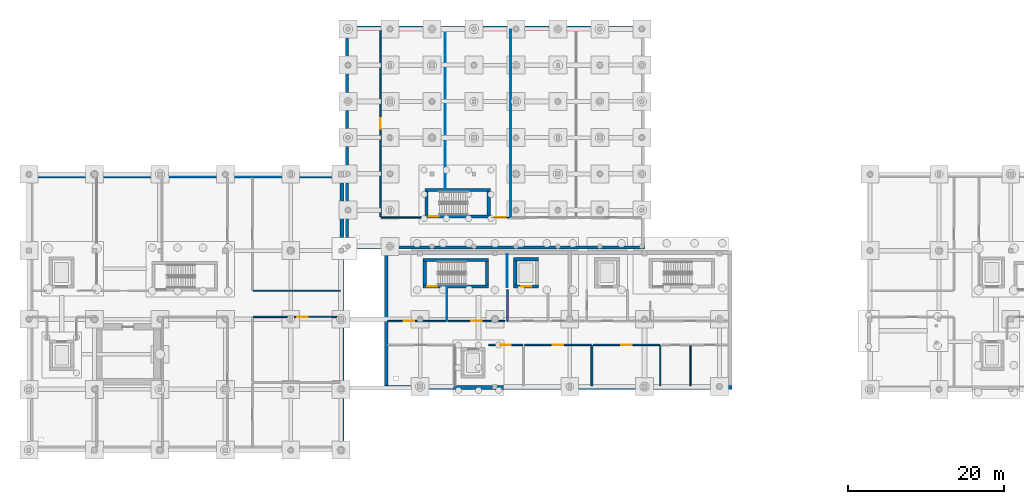
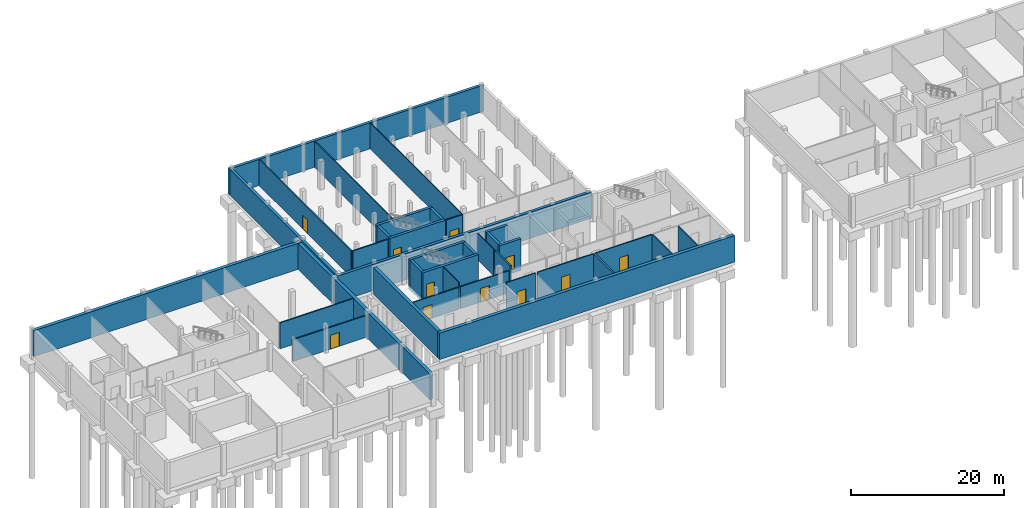
# One storey, part 7 of 14: 36 walls, 11 doors, 11 openings.
"""IFC4 building model written with IfcOpenShell, lengths in metres."""

from ifc_helpers import new_model, si_unit, direction, frame, frame_2d, origin, place, context, subcontext, project, spatial, rectangle, extrude, material, layer, layer_set, type_object, element, fill, save


model = new_model("IFC4")

# Units and contexts
model_context = context("Model", 3, precision=1e-05, world=origin(), true_north=direction((0.0, 1.0)))
body_context = subcontext(model_context, "Body", "Model", "MODEL_VIEW")
ifc_project = project(units=[si_unit("LENGTHUNIT", "METRE"), si_unit("AREAUNIT", "SQUARE_METRE"), si_unit("VOLUMEUNIT", "CUBIC_METRE"), si_unit("PLANEANGLEUNIT", "RADIAN"), si_unit("MASSUNIT", "GRAM", prefix="KILO")], contexts=[model_context])

# Site, building, storey
site_placement = place(None, origin())
site = spatial("IfcSite", under=ifc_project, at=site_placement, CompositionType="ELEMENT")
building_placement = place(site_placement, origin())
building = spatial("IfcBuilding", under=site, at=building_placement, Name="Birchvale Park Specialist Clinic", CompositionType="ELEMENT")
storey_placement = place(building_placement, frame((0.0, 0.0, -4.5)))
storey = spatial("IfcBuildingStorey", under=building, at=storey_placement, Name="B1", CompositionType="ELEMENT", Elevation=-4.5)

# Wall, opening, door
ifc_material_1 = material(Name="Concrete C40/50", Category="concrete")
ifc_layer_1 = layer(ifc_material_1, 0.39990234375)
ifc_layer_set_1 = layer_set([ifc_layer_1], Name="Concrete C40/50")
wall_type_1 = type_object("IfcWallType", Name="WL-CW-120", PredefinedType="SHEAR", material=ifc_layer_set_1)
wall_1_placement = place(storey_placement, frame((62.0, 39.0, -0.550048828125), z_axis=(0.0, 0.0, 1.0), x_axis=(1.0, 0.0, 0.0)))
wall_1 = element("IfcWall", 1, at=wall_1_placement, inside=storey, type_object=wall_type_1, Name="B1 stair ST1 EI 120 enclosure wall (south)", PredefinedType="SHEAR", context=body_context, shape_type="SweptSolid", body=[
    extrude(rectangle(XDim=8.39990234375, YDim=0.39990234375, at=frame_2d((4.199951171875, 0.0))), origin(), (0.0, 0.0, 1.0), 4.72998046875),
])
opening_1_placement = place(wall_1_placement, frame((0.52001953125, 0.0, 0.550048828125)))
opening_1 = element("IfcOpeningElement", 2, at=opening_1_placement, cuts=wall_1, Name="Opening ID-FD60", PredefinedType="OPENING", context=body_context, shape_type="SweptSolid", body=[
    extrude(rectangle(XDim=1.25, YDim=2.199951171875, at=frame_2d((0.625, 1.10009765625))), frame((0.0, 0.2099609375, 0.0), z_axis=(0.0, -1.0, 0.0), x_axis=(1.0, 0.0, 0.0)), (0.0, 0.0, 1.0), 0.419921875),
])
ifc_material_2 = material(Name="Solid-core birch veneer and anodised aluminium", Category="aluminium")
door_type_1 = type_object("IfcDoorType", Name="DR-ID-FD60", OperationType="NOTDEFINED", PredefinedType="DOOR", material=ifc_material_2)
door_1_placement = place(opening_1_placement, origin())
door_1 = element("IfcDoor", 3, at=door_1_placement, inside=storey, type_object=door_type_1, Name="B1 stair ST1 fire door", OperationType="SINGLE_SWING_RIGHT", OverallHeight=2.199951171875, OverallWidth=1.25, PredefinedType="DOOR", context=body_context, shape_type="SweptSolid", body=[
    extrude(rectangle(XDim=1.25, YDim=2.199951171875, at=frame_2d((0.625, 1.10009765625))), frame((0.0, 0.02490234375, 0.0), z_axis=(0.0, -1.0, 0.0), x_axis=(1.0, 0.0, 0.0)), (0.0, 0.0, 1.0), 0.050048828125),
])
fill(opening_1, door_1)

# Walls
wall_2_placement = place(storey_placement, frame((70.39990234375, 42.39990234375, -0.550048828125), z_axis=(0.0, 0.0, 1.0), x_axis=(-1.0, 0.0, 0.0)))
element("IfcWall", 4, at=wall_2_placement, inside=storey, type_object=wall_type_1, Name="B1 stair ST1 EI 120 enclosure wall (north)", PredefinedType="SHEAR", context=body_context, shape_type="SweptSolid", body=[
    extrude(rectangle(XDim=8.39990234375, YDim=0.39990234375, at=frame_2d((4.199951171875, 0.0))), origin(), (0.0, 0.0, 1.0), 4.72998046875),
])
for number, where, z_axis, x_axis, name in (
    (5, (62.199951171875, 39.199951171875, -0.550048828125), (0.0, 0.0, 1.0), (0.0, 1.0, 0.0), "B1 stair ST1 EI 120 enclosure wall (west)"),
    (6, (70.199951171875, 42.199951171875, -0.550048828125), (0.0, 0.0, 1.0), (0.0, -1.0, 0.0), "B1 stair ST1 EI 120 enclosure wall (east)"),
):
    element("IfcWall", number, at=place(storey_placement, frame(where, z_axis=z_axis, x_axis=x_axis)), inside=storey, type_object=wall_type_1, Name=name, PredefinedType="SHEAR", context=body_context, shape_type="SweptSolid", body=[
        extrude(rectangle(XDim=3.0, YDim=0.39990234375, at=frame_2d((1.5, 0.0))), origin(), (0.0, 0.0, 1.0), 4.72998046875),
    ])

# Wall, opening, door
wall_3_placement = place(storey_placement, frame((61.800048828125, 30.0, -0.550048828125), z_axis=(0.0, 0.0, 1.0), x_axis=(1.0, 0.0, 0.0)))
wall_3 = element("IfcWall", 7, at=wall_3_placement, inside=storey, type_object=wall_type_1, Name="B1 stair ST4 EI 120 enclosure wall (south)", PredefinedType="SHEAR", context=body_context, shape_type="SweptSolid", body=[
    extrude(rectangle(XDim=8.39990234375, YDim=0.39990234375, at=frame_2d((4.199951171875, 0.0))), origin(), (0.0, 0.0, 1.0), 4.77001953125),
])
opening_2_placement = place(wall_3_placement, frame((0.52001953125, 0.0, 0.550048828125)))
opening_2 = element("IfcOpeningElement", 8, at=opening_2_placement, cuts=wall_3, Name="Opening ID-FD60", PredefinedType="OPENING", context=body_context, shape_type="SweptSolid", body=[
    extrude(rectangle(XDim=1.25, YDim=2.199951171875, at=frame_2d((0.625, 1.10009765625))), frame((0.0, 0.2099609375, 0.0), z_axis=(0.0, -1.0, 0.0), x_axis=(1.0, 0.0, 0.0)), (0.0, 0.0, 1.0), 0.419921875),
])
door_2_placement = place(opening_2_placement, origin())
door_2 = element("IfcDoor", 9, at=door_2_placement, inside=storey, type_object=door_type_1, Name="B1 stair ST4 fire door", OperationType="SINGLE_SWING_RIGHT", OverallHeight=2.199951171875, OverallWidth=1.25, PredefinedType="DOOR", context=body_context, shape_type="SweptSolid", body=[
    extrude(rectangle(XDim=1.25, YDim=2.199951171875, at=frame_2d((0.625, 1.10009765625))), frame((0.0, 0.02490234375, 0.0), z_axis=(0.0, -1.0, 0.0), x_axis=(1.0, 0.0, 0.0)), (0.0, 0.0, 1.0), 0.050048828125),
])
fill(opening_2, door_2)

# Walls
wall_4_placement = place(storey_placement, frame((70.199951171875, 33.39990234375, -0.550048828125), z_axis=(0.0, 0.0, 1.0), x_axis=(-1.0, 0.0, 0.0)))
element("IfcWall", 10, at=wall_4_placement, inside=storey, type_object=wall_type_1, Name="B1 stair ST4 EI 120 enclosure wall (north)", PredefinedType="SHEAR", context=body_context, shape_type="SweptSolid", body=[
    extrude(rectangle(XDim=8.39990234375, YDim=0.39990234375, at=frame_2d((4.199951171875, 0.0))), origin(), (0.0, 0.0, 1.0), 4.77001953125),
])
for number, where, z_axis, x_axis, name in (
    (11, (62.0, 30.199951171875, -0.550048828125), (0.0, 0.0, 1.0), (0.0, 1.0, 0.0), "B1 stair ST4 EI 120 enclosure wall (west)"),
    (12, (70.0, 33.199951171875, -0.550048828125), (0.0, 0.0, 1.0), (0.0, -1.0, 0.0), "B1 stair ST4 EI 120 enclosure wall (east)"),
):
    element("IfcWall", number, at=place(storey_placement, frame(where, z_axis=z_axis, x_axis=x_axis)), inside=storey, type_object=wall_type_1, Name=name, PredefinedType="SHEAR", context=body_context, shape_type="SweptSolid", body=[
        extrude(rectangle(XDim=3.0, YDim=0.39990234375, at=frame_2d((1.5, 0.0))), origin(), (0.0, 0.0, 1.0), 4.77001953125),
    ])

# Wall, opening, door
wall_5_placement = place(storey_placement, frame((73.39990234375, 30.0, -0.550048828125), z_axis=(0.0, 0.0, 1.0), x_axis=(1.0, 0.0, 0.0)))
wall_5 = element("IfcWall", 13, at=wall_5_placement, inside=storey, type_object=wall_type_1, Name="B1 lift LF1 shaft wall (south)", PredefinedType="SHEAR", context=body_context, shape_type="SweptSolid", body=[
    extrude(rectangle(XDim=3.2001953125, YDim=0.39990234375, at=frame_2d((1.60009765625, 0.0))), origin(), (0.0, 0.0, 1.0), 5.050048828125),
])
opening_3_placement = place(wall_5_placement, frame((0.949951171875, 0.0, 0.550048828125)))
opening_3 = element("IfcOpeningElement", 14, at=opening_3_placement, cuts=wall_5, Name="Opening LD-02", PredefinedType="OPENING", context=body_context, shape_type="SweptSolid", body=[
    extrude(rectangle(XDim=1.300048828125, YDim=2.25, at=frame_2d((0.64990234375, 1.125))), frame((0.0, 0.2099609375, 0.0), z_axis=(0.0, -1.0, 0.0), x_axis=(1.0, 0.0, 0.0)), (0.0, 0.0, 1.0), 0.419921875),
])
door_type_2 = type_object("IfcDoorType", Name="DR-LD-02", OperationType="DOUBLE_DOOR_SLIDING", PredefinedType="DOOR", material=ifc_material_2)
door_3_placement = place(opening_3_placement, origin())
door_3 = element("IfcDoor", 15, at=door_3_placement, inside=storey, type_object=door_type_2, Name="B1 lift LF1 sliding landing door", OperationType="DOUBLE_DOOR_SLIDING", OverallHeight=2.25, OverallWidth=1.300048828125, PredefinedType="DOOR", context=body_context, shape_type="SweptSolid", body=[
    extrude(rectangle(XDim=1.300048828125, YDim=2.25, at=frame_2d((0.64990234375, 1.125))), frame((0.0, 0.02490234375, 0.0), z_axis=(0.0, -1.0, 0.0), x_axis=(1.0, 0.0, 0.0)), (0.0, 0.0, 1.0), 0.050048828125),
])
fill(opening_3, door_3)

# Walls
wall_6_placement = place(storey_placement, frame((76.60009765625, 33.5, -0.550048828125), z_axis=(0.0, 0.0, 1.0), x_axis=(-1.0, 0.0, 0.0)))
element("IfcWall", 16, at=wall_6_placement, inside=storey, type_object=wall_type_1, Name="B1 lift LF1 shaft wall (north)", PredefinedType="SHEAR", context=body_context, shape_type="SweptSolid", body=[
    extrude(rectangle(XDim=3.2001953125, YDim=0.39990234375, at=frame_2d((1.60009765625, 0.0))), origin(), (0.0, 0.0, 1.0), 5.050048828125),
])
wall_7_placement = place(storey_placement, frame((73.60009765625, 30.199951171875, -0.550048828125), z_axis=(0.0, 0.0, 1.0), x_axis=(0.0, 1.0, 0.0)))
element("IfcWall", 17, at=wall_7_placement, inside=storey, type_object=wall_type_1, Name="B1 lift LF1 shaft wall (west)", PredefinedType="SHEAR", context=body_context, shape_type="SweptSolid", body=[
    extrude(rectangle(XDim=3.10009765625, YDim=0.39990234375, at=frame_2d((1.550048828125, 0.0))), origin(), (0.0, 0.0, 1.0), 5.050048828125),
])
ifc_material_3 = material(Name="Acoustic gypsum board on metal framing")
ifc_layer_2 = layer(ifc_material_3, 0.1650390625)
ifc_layer_set_2 = layer_set([ifc_layer_2], Name="Acoustic gypsum board on metal framing")
wall_type_2 = type_object("IfcWallType", Name="WL-IW-01", PredefinedType="PARTITIONING", material=ifc_layer_set_2)
for number, where, z_axis, x_axis, name in (
    (18, (92.22412109375, 22.419921875, 0.0), (0.0, 0.0, 1.0), (0.0, -1.0, 0.0), "V4 B1 clinical partition 36"),
    (19, (96.10400390625, 22.419921875, 0.0), (0.0, 0.0, 1.0), (0.0, -1.0, 0.0), "V4 B1 clinical partition 37"),
):
    element("IfcWall", number, at=place(storey_placement, frame(where, z_axis=z_axis, x_axis=x_axis)), inside=storey, type_object=wall_type_2, Name=name, PredefinedType="PARTITIONING", context=body_context, shape_type="SweptSolid", body=[
        extrude(rectangle(XDim=5.179931640625, YDim=0.1650390625, at=frame_2d((2.58984375, 0.0))), origin(), (0.0, 0.0, 1.0), 4.219970703125),
    ])
ifc_layer_3 = layer(ifc_material_3, 0.125)
ifc_layer_set_3 = layer_set([ifc_layer_3], Name="Acoustic gypsum board on metal framing")
wall_type_3 = type_object("IfcWallType", Name="WL-IW-04", PredefinedType="PARTITIONING", material=ifc_layer_set_3)
wall_8_placement = place(storey_placement, frame((64.64501953125, 62.9599609375, 0.0), z_axis=(0.0, 0.0, 1.0), x_axis=(0.0, -1.0, 0.0)))
element("IfcWall", 20, at=wall_8_placement, inside=storey, type_object=wall_type_3, Name="V1 B1 clinical partition 3", PredefinedType="PARTITIONING", context=body_context, shape_type="SweptSolid", body=[
    extrude(rectangle(XDim=20.260009765625, YDim=0.125, at=frame_2d((10.1298828125, 0.0))), origin(), (0.0, 0.0, 1.0), 4.179931640625),
])
ifc_layer_4 = layer(ifc_material_3, 0.114990234375)
ifc_layer_set_4 = layer_set([ifc_layer_4], Name="Acoustic gypsum board on metal framing")
wall_type_4 = type_object("IfcWallType", Name="WL-IW-05", PredefinedType="PARTITIONING", material=ifc_layer_set_4)
wall_9_placement = place(storey_placement, frame((73.030029296875, 62.9599609375, 0.0), z_axis=(0.0, 0.0, 1.0), x_axis=(0.0, -1.0, 0.0)))
element("IfcWall", 21, at=wall_9_placement, inside=storey, type_object=wall_type_4, Name="V1 B1 clinical partition 4", PredefinedType="PARTITIONING", context=body_context, shape_type="SweptSolid", body=[
    extrude(rectangle(XDim=24.030029296875, YDim=0.114990234375, at=frame_2d((12.01513671875, 0.0))), origin(), (0.0, 0.0, 1.0), 4.179931640625),
])
wall_10_placement = place(storey_placement, frame((72.56005859375, 34.159912109375, 0.0), z_axis=(0.0, 0.0, 1.0), x_axis=(0.0, -1.0, 0.0)))
element("IfcWall", 22, at=wall_10_placement, inside=storey, type_object=wall_type_4, Name="V4 B1 clinical partition 43", PredefinedType="PARTITIONING", context=body_context, shape_type="SweptSolid", body=[
    extrude(rectangle(XDim=4.239990234375, YDim=0.114990234375, at=frame_2d((2.1201171875, 0.0))), origin(), (0.0, 0.0, 1.0), 4.219970703125),
])
ifc_layer_5 = layer(ifc_material_3, 0.10009765625)
ifc_layer_set_5 = layer_set([ifc_layer_5], Name="Acoustic gypsum board on metal framing")
wall_type_5 = type_object("IfcWallType", Name="WL-IW-06", PredefinedType="PARTITIONING", material=ifc_layer_set_5)
wall_11_placement = place(storey_placement, frame((64.840087890625, 29.699951171875, 0.0), z_axis=(0.0, 0.0, 1.0), x_axis=(0.0, -1.0, 0.0)))
element("IfcWall", 23, at=wall_11_placement, inside=storey, type_object=wall_type_5, Name="V4 B1 clinical partition 40", PredefinedType="PARTITIONING", context=body_context, shape_type="SweptSolid", body=[
    extrude(rectangle(XDim=4.070068359375, YDim=0.10009765625, at=frame_2d((2.03515625, 0.0))), origin(), (0.0, 0.0, 1.0), 4.219970703125),
])
ifc_layer_6 = layer(ifc_material_3, 0.239990234375)
ifc_layer_set_6 = layer_set([ifc_layer_6], Name="Acoustic gypsum board on metal framing")
wall_type_6 = type_object("IfcWallType", Name="WL-IW-08", PredefinedType="PARTITIONING", material=ifc_layer_set_6)
wall_12_placement = place(storey_placement, frame((83.447998046875, 22.419921875, 0.0), z_axis=(0.0, 0.0, 1.0), x_axis=(0.0, -1.0, 0.0)))
element("IfcWall", 24, at=wall_12_placement, inside=storey, type_object=wall_type_6, Name="V4 B1 clinical partition 34", PredefinedType="PARTITIONING", context=body_context, shape_type="SweptSolid", body=[
    extrude(rectangle(XDim=5.179931640625, YDim=0.239990234375, at=frame_2d((2.58984375, 0.0))), origin(), (0.0, 0.0, 1.0), 4.219970703125),
])
ifc_layer_7 = layer(ifc_material_3, 0.219970703125)
ifc_layer_set_7 = layer_set([ifc_layer_7], Name="Acoustic gypsum board on metal framing")
wall_type_7 = type_object("IfcWallType", Name="WL-IW-120", PredefinedType="PARTITIONING", material=ifc_layer_set_7)
wall_13_placement = place(storey_placement, frame((72.60009765625, 29.60009765625, 0.0), z_axis=(0.0, 0.0, 1.0), x_axis=(0.0, -1.0, 0.0)))
element("IfcWall", 25, at=wall_13_placement, inside=storey, type_object=wall_type_7, Name="B1 firefighting lift lobby K4 EI 120 wall (west)", PredefinedType="PARTITIONING", context=body_context, shape_type="SweptSolid", body=[
    extrude(rectangle(XDim=4.050048828125, YDim=0.219970703125, at=frame_2d((2.02490234375, 0.0))), origin(), (0.0, 0.0, 1.0), 4.219970703125),
])
ifc_layer_8 = layer(ifc_material_3, 0.179931640625)
ifc_layer_set_8 = layer_set([ifc_layer_8], Name="Acoustic gypsum board on metal framing")
wall_type_8 = type_object("IfcWallType", Name="WL-IW-60", PredefinedType="PARTITIONING", material=ifc_layer_set_8)
wall_14_placement = place(storey_placement, frame((61.6650390625, 38.85009765625, 0.0), z_axis=(0.0, 0.0, 1.0), x_axis=(-1.0, 0.0, 0.0)))
element("IfcWall", 26, at=wall_14_placement, inside=storey, type_object=wall_type_8, Name="V1 B1 clinical partition 1", PredefinedType="PARTITIONING", context=body_context, shape_type="SweptSolid", body=[
    extrude(rectangle(XDim=5.28515625, YDim=0.179931640625, at=frame_2d((2.642578125, 0.0))), origin(), (0.0, 0.0, 1.0), 4.179931640625),
])

# Wall, opening, door
wall_15_placement = place(storey_placement, frame((56.300048828125, 38.929931640625, 0.0), z_axis=(0.0, 0.0, 1.0), x_axis=(0.0, 1.0, 0.0)))
wall_15 = element("IfcWall", 27, at=wall_15_placement, inside=storey, type_object=wall_type_8, Name="V1 B1 clinical partition 2", PredefinedType="PARTITIONING", context=body_context, shape_type="SweptSolid", body=[
    extrude(rectangle(XDim=24.030029296875, YDim=0.179931640625, at=frame_2d((12.01513671875, 0.0))), origin(), (0.0, 0.0, 1.0), 4.179931640625),
])
opening_4_placement = place(wall_15_placement, frame((11.340087890625, 0.0, 0.0)))
opening_4 = element("IfcOpeningElement", 28, at=opening_4_placement, cuts=wall_15, Name="Opening ID-FD30", PredefinedType="OPENING", context=body_context, shape_type="SweptSolid", body=[
    extrude(rectangle(XDim=1.35009765625, YDim=2.199951171875, at=frame_2d((0.675048828125, 1.10009765625))), frame((0.0, 0.10009765625, 0.0), z_axis=(0.0, -1.0, 0.0), x_axis=(1.0, 0.0, 0.0)), (0.0, 0.0, 1.0), 0.199951171875),
])
door_type_3 = type_object("IfcDoorType", Name="DR-ID-FD30", OperationType="NOTDEFINED", PredefinedType="DOOR", material=ifc_material_2)
door_4_placement = place(opening_4_placement, origin())
door_4 = element("IfcDoor", 29, at=door_4_placement, inside=storey, type_object=door_type_3, Name="B1 Hydrotherapy Balance Tank Plant Room door", OperationType="SINGLE_SWING_RIGHT", OverallHeight=2.199951171875, OverallWidth=1.35009765625, PredefinedType="DOOR", context=body_context, shape_type="SweptSolid", body=[
    extrude(rectangle(XDim=1.35009765625, YDim=2.199951171875, at=frame_2d((0.675048828125, 1.10009765625))), frame((0.0, 0.02490234375, 0.0), z_axis=(0.0, -1.0, 0.0), x_axis=(1.0, 0.0, 0.0)), (0.0, 0.0, 1.0), 0.050048828125),
])
fill(opening_4, door_4)

wall_16_placement = place(storey_placement, frame((72.949951171875, 38.85009765625, 0.0), z_axis=(0.0, 0.0, 1.0), x_axis=(-1.0, 0.0, 0.0)))
wall_16 = element("IfcWall", 30, at=wall_16_placement, inside=storey, type_object=wall_type_8, Name="V1 B1 clinical partition 5", PredefinedType="PARTITIONING", context=body_context, shape_type="SweptSolid", body=[
    extrude(rectangle(XDim=2.449951171875, YDim=0.179931640625, at=frame_2d((1.22509765625, 0.0))), origin(), (0.0, 0.0, 1.0), 4.179931640625),
])
opening_5_placement = place(wall_16_placement, frame((0.550048828125, 0.0, 0.0)))
opening_5 = element("IfcOpeningElement", 31, at=opening_5_placement, cuts=wall_16, Name="Opening ID-FD30", PredefinedType="OPENING", context=body_context, shape_type="SweptSolid", body=[
    extrude(rectangle(XDim=1.35009765625, YDim=2.199951171875, at=frame_2d((0.675048828125, 1.10009765625))), frame((0.0, 0.10009765625, 0.0), z_axis=(0.0, -1.0, 0.0), x_axis=(1.0, 0.0, 0.0)), (0.0, 0.0, 1.0), 0.199951171875),
])
door_5_placement = place(opening_5_placement, origin())
door_5 = element("IfcDoor", 32, at=door_5_placement, inside=storey, type_object=door_type_3, Name="B1 Sterile Supply Store door", OperationType="SINGLE_SWING_LEFT", OverallHeight=2.199951171875, OverallWidth=1.35009765625, PredefinedType="DOOR", context=body_context, shape_type="SweptSolid", body=[
    extrude(rectangle(XDim=1.35009765625, YDim=2.199951171875, at=frame_2d((0.675048828125, 1.10009765625))), frame((0.0, 0.02490234375, 0.0), z_axis=(0.0, -1.0, 0.0), x_axis=(1.0, 0.0, 0.0)), (0.0, 0.0, 1.0), 0.050048828125),
])
fill(opening_5, door_5)

wall_17_placement = place(storey_placement, frame((39.97998046875, 26.10009765625, 0.0), z_axis=(0.0, 0.0, 1.0), x_axis=(1.0, 0.0, 0.0)))
wall_17 = element("IfcWall", 33, at=wall_17_placement, inside=storey, type_object=wall_type_8, Name="V2 B1 clinical partition 20", PredefinedType="PARTITIONING", context=body_context, shape_type="SweptSolid", body=[
    extrude(rectangle(XDim=11.179931640625, YDim=0.179931640625, at=frame_2d((5.58984375, 0.0))), origin(), (0.0, 0.0, 1.0), 3.485107421875),
])
opening_6_placement = place(wall_17_placement, frame((5.6650390625, 0.0, 0.0)))
opening_6 = element("IfcOpeningElement", 34, at=opening_6_placement, cuts=wall_17, Name="Opening ID-FD30", PredefinedType="OPENING", context=body_context, shape_type="SweptSolid", body=[
    extrude(rectangle(XDim=1.35009765625, YDim=2.199951171875, at=frame_2d((0.675048828125, 1.10009765625))), frame((0.0, 0.10009765625, 0.0), z_axis=(0.0, -1.0, 0.0), x_axis=(1.0, 0.0, 0.0)), (0.0, 0.0, 1.0), 0.199951171875),
])
door_6_placement = place(opening_6_placement, origin())
door_6 = element("IfcDoor", 35, at=door_6_placement, inside=storey, type_object=door_type_3, Name="B1 Electrical Switchgear Room door", OperationType="SINGLE_SWING_LEFT", OverallHeight=2.199951171875, OverallWidth=1.35009765625, PredefinedType="DOOR", context=body_context, shape_type="SweptSolid", body=[
    extrude(rectangle(XDim=1.35009765625, YDim=2.199951171875, at=frame_2d((0.675048828125, 1.10009765625))), frame((0.0, 0.02490234375, 0.0), z_axis=(0.0, -1.0, 0.0), x_axis=(1.0, 0.0, 0.0)), (0.0, 0.0, 1.0), 0.050048828125),
])
fill(opening_6, door_6)

# Wall
wall_18_placement = place(storey_placement, frame((51.159912109375, 29.449951171875, 0.0), z_axis=(0.0, 0.0, 1.0), x_axis=(-1.0, 0.0, 0.0)))
element("IfcWall", 36, at=wall_18_placement, inside=storey, type_object=wall_type_8, Name="V2 B1 clinical partition 28", PredefinedType="PARTITIONING", context=body_context, shape_type="SweptSolid", body=[
    extrude(rectangle(XDim=11.179931640625, YDim=0.179931640625, at=frame_2d((5.58984375, 0.0))), origin(), (0.0, 0.0, 1.0), 4.14990234375),
])

# Wall, opening, door
wall_19_placement = place(storey_placement, frame((70.179931640625, 22.5, 0.0), z_axis=(0.0, 0.0, 1.0), x_axis=(1.0, 0.0, 0.0)))
wall_19 = element("IfcWall", 37, at=wall_19_placement, inside=storey, type_object=wall_type_8, Name="V4 B1 clinical partition 31", PredefinedType="PARTITIONING", context=body_context, shape_type="SweptSolid", body=[
    extrude(rectangle(XDim=4.412109375, YDim=0.179931640625, at=frame_2d((2.2060546875, 0.0))), origin(), (0.0, 0.0, 1.0), 4.219970703125),
])
opening_7_placement = place(wall_19_placement, frame((1.531005859375, 0.0, 0.0)))
opening_7 = element("IfcOpeningElement", 38, at=opening_7_placement, cuts=wall_19, Name="Opening ID-FD30", PredefinedType="OPENING", context=body_context, shape_type="SweptSolid", body=[
    extrude(rectangle(XDim=1.35009765625, YDim=2.199951171875, at=frame_2d((0.675048828125, 1.10009765625))), frame((0.0, 0.10009765625, 0.0), z_axis=(0.0, -1.0, 0.0), x_axis=(1.0, 0.0, 0.0)), (0.0, 0.0, 1.0), 0.199951171875),
])
door_7_placement = place(opening_7_placement, origin())
door_7 = element("IfcDoor", 39, at=door_7_placement, inside=storey, type_object=door_type_3, Name="B1 Sterile Supply Store door", OperationType="SINGLE_SWING_LEFT", OverallHeight=2.199951171875, OverallWidth=1.35009765625, PredefinedType="DOOR", context=body_context, shape_type="SweptSolid", body=[
    extrude(rectangle(XDim=1.35009765625, YDim=2.199951171875, at=frame_2d((0.675048828125, 1.10009765625))), frame((0.0, 0.02490234375, 0.0), z_axis=(0.0, -1.0, 0.0), x_axis=(1.0, 0.0, 0.0)), (0.0, 0.0, 1.0), 0.050048828125),
])
fill(opening_7, door_7)

wall_20_placement = place(storey_placement, frame((74.83203125, 22.5, 0.0), z_axis=(0.0, 0.0, 1.0), x_axis=(1.0, 0.0, 0.0)))
wall_20 = element("IfcWall", 40, at=wall_20_placement, inside=storey, type_object=wall_type_8, Name="V4 B1 clinical partition 33", PredefinedType="PARTITIONING", context=body_context, shape_type="SweptSolid", body=[
    extrude(rectangle(XDim=8.535888671875, YDim=0.179931640625, at=frame_2d((4.26806640625, 0.0))), origin(), (0.0, 0.0, 1.0), 4.219970703125),
])
opening_8_placement = place(wall_20_placement, frame((3.593017578125, 0.0, 0.0)))
opening_8 = element("IfcOpeningElement", 41, at=opening_8_placement, cuts=wall_20, Name="Opening ID-FD30", PredefinedType="OPENING", context=body_context, shape_type="SweptSolid", body=[
    extrude(rectangle(XDim=1.35009765625, YDim=2.199951171875, at=frame_2d((0.675048828125, 1.10009765625))), frame((0.0, 0.10009765625, 0.0), z_axis=(0.0, -1.0, 0.0), x_axis=(1.0, 0.0, 0.0)), (0.0, 0.0, 1.0), 0.199951171875),
])
door_8_placement = place(opening_8_placement, origin())
door_8 = element("IfcDoor", 42, at=door_8_placement, inside=storey, type_object=door_type_3, Name="B1 Central MEP Plant Room door", OperationType="SINGLE_SWING_RIGHT", OverallHeight=2.199951171875, OverallWidth=1.35009765625, PredefinedType="DOOR", context=body_context, shape_type="SweptSolid", body=[
    extrude(rectangle(XDim=1.35009765625, YDim=2.199951171875, at=frame_2d((0.675048828125, 1.10009765625))), frame((0.0, 0.02490234375, 0.0), z_axis=(0.0, -1.0, 0.0), x_axis=(1.0, 0.0, 0.0)), (0.0, 0.0, 1.0), 0.050048828125),
])
fill(opening_8, door_8)

wall_21_placement = place(storey_placement, frame((83.60791015625, 22.5, 0.0), z_axis=(0.0, 0.0, 1.0), x_axis=(1.0, 0.0, 0.0)))
wall_21 = element("IfcWall", 43, at=wall_21_placement, inside=storey, type_object=wall_type_8, Name="V4 B1 clinical partition 35", PredefinedType="PARTITIONING", context=body_context, shape_type="SweptSolid", body=[
    extrude(rectangle(XDim=8.5361328125, YDim=0.179931640625, at=frame_2d((4.26806640625, 0.0))), origin(), (0.0, 0.0, 1.0), 4.219970703125),
])
opening_9_placement = place(wall_21_placement, frame((3.593017578125, 0.0, 0.0)))
opening_9 = element("IfcOpeningElement", 44, at=opening_9_placement, cuts=wall_21, Name="Opening ID-FD30", PredefinedType="OPENING", context=body_context, shape_type="SweptSolid", body=[
    extrude(rectangle(XDim=1.35009765625, YDim=2.199951171875, at=frame_2d((0.675048828125, 1.10009765625))), frame((0.0, 0.10009765625, 0.0), z_axis=(0.0, -1.0, 0.0), x_axis=(1.0, 0.0, 0.0)), (0.0, 0.0, 1.0), 0.199951171875),
])
door_9_placement = place(opening_9_placement, origin())
door_9 = element("IfcDoor", 45, at=door_9_placement, inside=storey, type_object=door_type_3, Name="B1 Medical Gas Manifold Room door", OperationType="SINGLE_SWING_LEFT", OverallHeight=2.199951171875, OverallWidth=1.35009765625, PredefinedType="DOOR", context=body_context, shape_type="SweptSolid", body=[
    extrude(rectangle(XDim=1.35009765625, YDim=2.199951171875, at=frame_2d((0.675048828125, 1.10009765625))), frame((0.0, 0.02490234375, 0.0), z_axis=(0.0, -1.0, 0.0), x_axis=(1.0, 0.0, 0.0)), (0.0, 0.0, 1.0), 0.050048828125),
])
fill(opening_9, door_9)

wall_22_placement = place(storey_placement, frame((64.760009765625, 25.550048828125, 0.0), z_axis=(0.0, 0.0, 1.0), x_axis=(-1.0, 0.0, 0.0)))
wall_22 = element("IfcWall", 46, at=wall_22_placement, inside=storey, type_object=wall_type_8, Name="V4 B1 clinical partition 41", PredefinedType="PARTITIONING", context=body_context, shape_type="SweptSolid", body=[
    extrude(rectangle(XDim=7.52001953125, YDim=0.179931640625, at=frame_2d((3.760009765625, 0.0))), origin(), (0.0, 0.0, 1.0), 3.52490234375),
])
opening_10_placement = place(wall_22_placement, frame((4.0849609375, 0.0, 0.0)))
opening_10 = element("IfcOpeningElement", 47, at=opening_10_placement, cuts=wall_22, Name="Opening ID-FD30", PredefinedType="OPENING", context=body_context, shape_type="SweptSolid", body=[
    extrude(rectangle(XDim=1.35009765625, YDim=2.199951171875, at=frame_2d((0.675048828125, 1.10009765625))), frame((0.0, 0.10009765625, 0.0), z_axis=(0.0, -1.0, 0.0), x_axis=(1.0, 0.0, 0.0)), (0.0, 0.0, 1.0), 0.199951171875),
])
door_10_placement = place(opening_10_placement, origin())
door_10 = element("IfcDoor", 48, at=door_10_placement, inside=storey, type_object=door_type_3, Name="B1 Oncology Pharmacy Bulk Store door", OperationType="SINGLE_SWING_RIGHT", OverallHeight=2.199951171875, OverallWidth=1.35009765625, PredefinedType="DOOR", context=body_context, shape_type="SweptSolid", body=[
    extrude(rectangle(XDim=1.35009765625, YDim=2.199951171875, at=frame_2d((0.675048828125, 1.10009765625))), frame((0.0, 0.02490234375, 0.0), z_axis=(0.0, -1.0, 0.0), x_axis=(1.0, 0.0, 0.0)), (0.0, 0.0, 1.0), 0.050048828125),
])
fill(opening_10, door_10)

wall_23_placement = place(storey_placement, frame((72.280029296875, 25.550048828125, 0.0), z_axis=(0.0, 0.0, 1.0), x_axis=(-1.0, 0.0, 0.0)))
wall_23 = element("IfcWall", 49, at=wall_23_placement, inside=storey, type_object=wall_type_8, Name="V4 B1 clinical partition 42", PredefinedType="PARTITIONING", context=body_context, shape_type="SweptSolid", body=[
    extrude(rectangle(XDim=7.280029296875, YDim=0.179931640625, at=frame_2d((3.64013671875, 0.0))), origin(), (0.0, 0.0, 1.0), 3.52490234375),
])
opening_11_placement = place(wall_23_placement, frame((2.965087890625, 0.0, 0.0)))
opening_11 = element("IfcOpeningElement", 50, at=opening_11_placement, cuts=wall_23, Name="Opening ID-FD30", PredefinedType="OPENING", context=body_context, shape_type="SweptSolid", body=[
    extrude(rectangle(XDim=1.35009765625, YDim=2.199951171875, at=frame_2d((0.675048828125, 1.10009765625))), frame((0.0, 0.10009765625, 0.0), z_axis=(0.0, -1.0, 0.0), x_axis=(1.0, 0.0, 0.0)), (0.0, 0.0, 1.0), 0.199951171875),
])
door_11_placement = place(opening_11_placement, origin())
door_11 = element("IfcDoor", 51, at=door_11_placement, inside=storey, type_object=door_type_3, Name="B1 Biomedical Equipment Store door", OperationType="SINGLE_SWING_LEFT", OverallHeight=2.199951171875, OverallWidth=1.35009765625, PredefinedType="DOOR", context=body_context, shape_type="SweptSolid", body=[
    extrude(rectangle(XDim=1.35009765625, YDim=2.199951171875, at=frame_2d((0.675048828125, 1.10009765625))), frame((0.0, 0.02490234375, 0.0), z_axis=(0.0, -1.0, 0.0), x_axis=(1.0, 0.0, 0.0)), (0.0, 0.0, 1.0), 0.050048828125),
])
fill(opening_11, door_11)

# Walls
ifc_layer_9 = layer(ifc_material_1, 0.419921875)
ifc_layer_set_9 = layer_set([ifc_layer_9], Name="Concrete C40/50")
wall_type_9 = type_object("IfcWallType", Name="WL-RW-420", PredefinedType="SHEAR", material=ifc_layer_set_9)
for number, where, z_axis, x_axis, name in (
    (52, (51.800048828125, 35.010009765625, 0.0), (0.0, 0.0, 1.0), (1.0, 0.0, 0.0), "V1 B1 retaining wall 1.1"),
    (53, (90.199951171875, 63.18994140625, 0.0), (0.0, 0.0, 1.0), (-1.0, 0.0, 0.0), "V1 B1 retaining wall 1.2"),
):
    element("IfcWall", number, at=place(storey_placement, frame(where, z_axis=z_axis, x_axis=x_axis)), inside=storey, type_object=wall_type_9, Name=name, PredefinedType="SHEAR", context=body_context, shape_type="SweptSolid", body=[
        extrude(rectangle(XDim=38.39990234375, YDim=0.419921875, at=frame_2d((19.199951171875, 0.0))), origin(), (0.0, 0.0, 1.0), 4.179931640625),
    ])
wall_24_placement = place(storey_placement, frame((52.010009765625, 35.219970703125, 0.0), z_axis=(0.0, 0.0, 1.0), x_axis=(0.0, 1.0, 0.0)))
element("IfcWall", 54, at=wall_24_placement, inside=storey, type_object=wall_type_9, Name="V1 B1 retaining wall 1.3", PredefinedType="SHEAR", context=body_context, shape_type="SweptSolid", body=[
    extrude(rectangle(XDim=27.760009765625, YDim=0.419921875, at=frame_2d((13.8798828125, 0.0))), origin(), (0.0, 0.0, 1.0), 4.179931640625),
])
ifc_layer_10 = layer(ifc_material_1, 0.5)
ifc_layer_set_10 = layer_set([ifc_layer_10], Name="Concrete C40/50")
wall_type_10 = type_object("IfcWallType", Name="WL-RW-500", PredefinedType="SHEAR", material=ifc_layer_set_10)
wall_25_placement = place(storey_placement, frame((51.60009765625, 44.14990234375, 0.0), z_axis=(0.0, 0.0, 1.0), x_axis=(-1.0, 0.0, 0.0)))
element("IfcWall", 55, at=wall_25_placement, inside=storey, type_object=wall_type_10, Name="V2 B1 retaining wall 1.2", PredefinedType="SHEAR", context=body_context, shape_type="SweptSolid", body=[
    extrude(rectangle(XDim=40.400146484375, YDim=0.5, at=frame_2d((20.2001953125, 0.0))), origin(), (0.0, 0.0, 1.0), 4.14990234375),
])
wall_26_placement = place(storey_placement, frame((51.35009765625, 43.89990234375, 0.0), z_axis=(0.0, 0.0, 1.0), x_axis=(0.0, -1.0, 0.0)))
element("IfcWall", 56, at=wall_26_placement, inside=storey, type_object=wall_type_10, Name="V2 B1 retaining wall 1.4", PredefinedType="SHEAR", context=body_context, shape_type="SweptSolid", body=[
    extrude(rectangle(XDim=34.39990234375, YDim=0.5, at=frame_2d((17.199951171875, 0.0))), origin(), (0.0, 0.0, 1.0), 4.14990234375),
])
wall_27_placement = place(storey_placement, frame((56.800048828125, 17.050048828125, 0.0), z_axis=(0.0, 0.0, 1.0), x_axis=(1.0, 0.0, 0.0)))
element("IfcWall", 57, at=wall_27_placement, inside=storey, type_object=wall_type_10, Name="V4 B1 retaining wall 1.1", PredefinedType="SHEAR", context=body_context, shape_type="SweptSolid", body=[
    extrude(rectangle(XDim=44.599853515625, YDim=0.5, at=frame_2d((22.2998046875, 0.0))), origin(), (0.0, 0.0, 1.0), 4.219970703125),
])
wall_28_placement = place(storey_placement, frame((57.050048828125, 17.300048828125, 0.0), z_axis=(0.0, 0.0, 1.0), x_axis=(0.0, 1.0, 0.0)))
element("IfcWall", 58, at=wall_28_placement, inside=storey, type_object=wall_type_10, Name="V4 B1 retaining wall 1.3", PredefinedType="SHEAR", context=body_context, shape_type="SweptSolid", body=[
    extrude(rectangle(XDim=16.800048828125, YDim=0.5, at=frame_2d((8.39990234375, 0.0))), origin(), (0.0, 0.0, 1.0), 4.219970703125),
])

save(model, "model.ifc")
